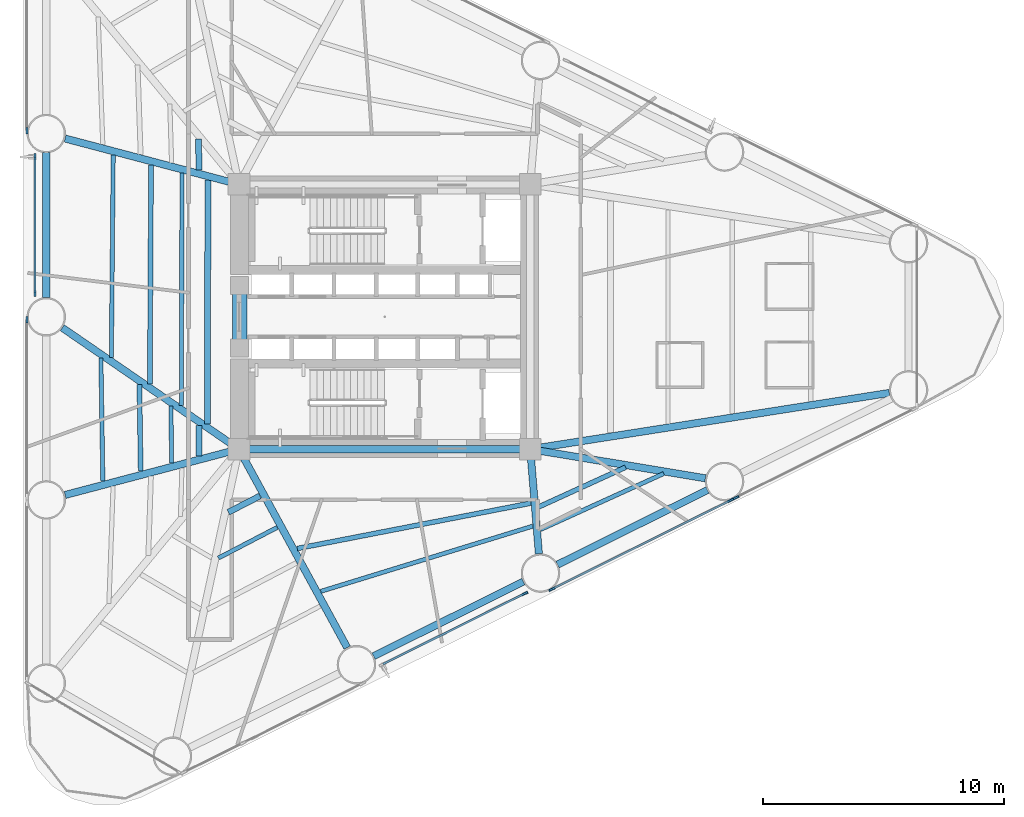
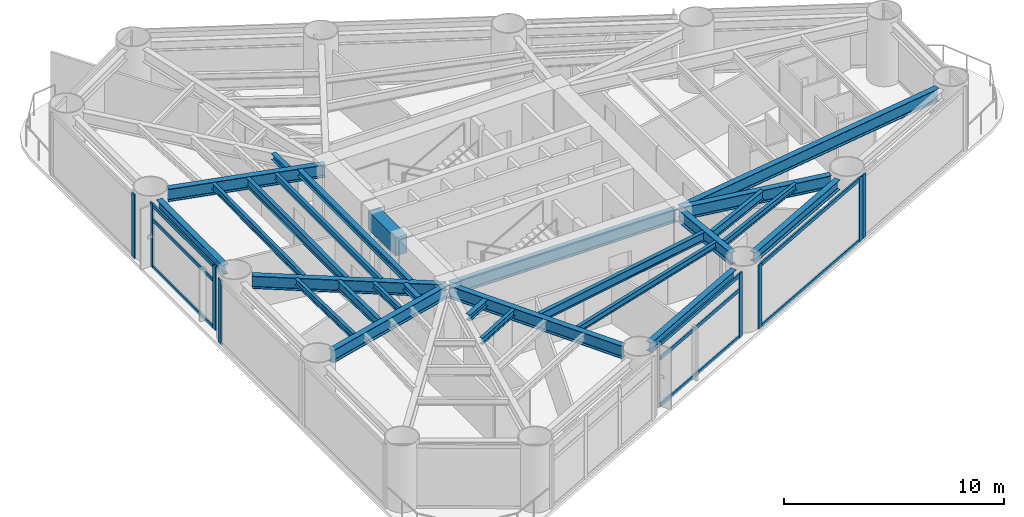
# One storey, part 2 of 10: 27 beams, 16 members, 6 elements without a shape of their own.
"""IFC4 building model written with IfcOpenShell, lengths in metres."""

from ifc_helpers import new_model, si_unit, direction, frame, origin, origin_2d, place, context, subcontext, project, spatial, rectangle, i_section, extrude, source, transform, mapped, material, layer, layer_set, material_profile, profile_set, type_object, element, aggregate, save


model = new_model("IFC4")

# Units and contexts
model_context = context("Model", 3, precision=1e-05, world=origin(), true_north=direction((0.0, 1.0)))
body_context = subcontext(model_context, "Body", "Model", "MODEL_VIEW")
ifc_project = project(units=[si_unit("LENGTHUNIT", "METRE"), si_unit("AREAUNIT", "SQUARE_METRE"), si_unit("VOLUMEUNIT", "CUBIC_METRE"), si_unit("PLANEANGLEUNIT", "RADIAN"), si_unit("MASSUNIT", "GRAM", prefix="KILO")], contexts=[model_context])

# Site, building, storey
site_placement = place(None, origin())
site = spatial("IfcSite", under=ifc_project, at=site_placement, CompositionType="ELEMENT")
building_placement = place(site_placement, origin())
building = spatial("IfcBuilding", under=site, at=building_placement, Name="Yunling Apex Tower", CompositionType="ELEMENT")
storey_placement = place(building_placement, frame((0.0, 0.0, 46.0)))
storey = spatial("IfcBuildingStorey", under=building, at=storey_placement, Name="L13", CompositionType="ELEMENT", Elevation=46.0)

# Beams
ifc_material_1 = material(Name="Concrete C60", Category="concrete")
ifc_material_profile_1 = material_profile(ifc_material_1, rectangle(XDim=0.60009765625, YDim=1.0, at=origin_2d()))
ifc_profile_set_1 = profile_set([ifc_material_profile_1], Name="Concrete C60")
beam_type_1 = type_object("IfcBeamType", Name="BC-CPL-1", PredefinedType="BEAM", material=ifc_profile_set_1)
shared_shape_1 = source(origin(), body_context, "Body", "SweptSolid", [
    extrude(rectangle(XDim=0.60009765625, YDim=1.0, at=origin_2d()), origin(), (0.0, 0.0, 1.0), 2.5),
])
beam_1_placement = place(storey_placement, frame((-6.02490234375, -1.25, 2.97998046875), z_axis=(0.0, 1.0, 0.0), x_axis=(-1.0, 0.0, 0.0)))
element("IfcBeam", 1, at=beam_1_placement, inside=storey, type_object=beam_type_1, Name="L13 Core West Portal Coupling Beam", PredefinedType="BEAM", context=body_context, shape_type="MappedRepresentation", body=[
    mapped(shared_shape_1, transform((0.0, 0.0, 0.0), scale=1.0)),
])
ifc_material_2 = material(Name="Steel Q355B", Category="steel")
ifc_material_profile_2 = material_profile(ifc_material_2, i_section(OverallWidth=0.300048828125, OverallDepth=0.699951171875, WebThickness=0.012939453125, FlangeThickness=0.02392578125, FilletRadius=0.02587890625, at=origin_2d()))
ifc_profile_set_2 = profile_set([ifc_material_profile_2], Name="Steel Q355B")
beam_type_2 = type_object("IfcBeamType", Name="BG-PRI-3", PredefinedType="USERDEFINED", material=ifc_profile_set_2)
shared_shape_2 = source(origin(), body_context, "Body", "SweptSolid", [
    extrude(i_section(OverallWidth=0.300048828125, OverallDepth=0.699951171875, WebThickness=0.012939453125, FlangeThickness=0.02392578125, FilletRadius=0.02587890625, at=origin_2d()), origin(), (0.0, 0.0, 1.0), 11.7998046875),
])
beam_2_placement = place(storey_placement, frame((-5.89990234375, -5.5, 3.1298828125), z_axis=(1.0, 0.0, 0.0), x_axis=(0.0, 1.0, 0.0)))
element("IfcBeam", 2, at=beam_2_placement, inside=storey, type_object=beam_type_2, Name="L13 Core Ring Tie Beam 1", ObjectType="GIRDER", PredefinedType="USERDEFINED", context=body_context, shape_type="MappedRepresentation", body=[
    mapped(shared_shape_2, transform((0.0, 0.0, 0.0), scale=1.0)),
])
ifc_material_profile_3 = material_profile(ifc_material_2, i_section(OverallWidth=0.300048828125, OverallDepth=0.5400390625, WebThickness=0.011962890625, FlangeThickness=0.02001953125, FilletRadius=0.02392578125, at=origin_2d()))
ifc_profile_set_3 = profile_set([ifc_material_profile_3], Name="Steel Q355B")
beam_type_3 = type_object("IfcBeamType", Name="BP-SPN-1", PredefinedType="SPANDREL", material=ifc_profile_set_3)
shared_shape_3 = source(origin(), body_context, "Body", "SweptSolid", [
    extrude(i_section(OverallWidth=0.300048828125, OverallDepth=0.5400390625, WebThickness=0.011962890625, FlangeThickness=0.02001953125, FilletRadius=0.02392578125, at=origin_2d()), origin(), (0.0, 0.0, 1.0), 6.950927734375),
])
beam_3_placement = place(storey_placement, frame((-0.456298828125, -14.099365234375, 3.2099609375), z_axis=(0.895247556401, 0.445569088646, 0.0), x_axis=(-0.445569088646, 0.895247556401, 0.0)))
element("IfcBeam", 3, at=beam_3_placement, inside=storey, type_object=beam_type_3, Name="L13 Perimeter Spandrel Beam 2", PredefinedType="SPANDREL", context=body_context, shape_type="MappedRepresentation", body=[
    mapped(shared_shape_3, transform((0.0, 0.0, 0.0), scale=1.0)),
])
shared_shape_4 = source(origin(), body_context, "Body", "SweptSolid", [
    extrude(i_section(OverallWidth=0.300048828125, OverallDepth=0.5400390625, WebThickness=0.011962890625, FlangeThickness=0.02001953125, FilletRadius=0.02392578125, at=origin_2d()), origin(), (0.0, 0.0, 1.0), 6.95068359375),
])
beam_4_placement = place(storey_placement, frame((7.188232421875, -10.29443359375, 3.2099609375), z_axis=(0.895254593944, 0.445554948375, 0.0), x_axis=(-0.445554948375, 0.895254593944, 0.0)))
element("IfcBeam", 4, at=beam_4_placement, inside=storey, type_object=beam_type_3, Name="L13 Perimeter Spandrel Beam 3", PredefinedType="SPANDREL", context=body_context, shape_type="MappedRepresentation", body=[
    mapped(shared_shape_4, transform((0.0, 0.0, 0.0), scale=1.0)),
])
shared_shape_5 = source(origin(), body_context, "Body", "SweptSolid", [
    extrude(i_section(OverallWidth=0.300048828125, OverallDepth=0.5400390625, WebThickness=0.011962890625, FlangeThickness=0.02001953125, FilletRadius=0.02392578125, at=origin_2d()), origin(), (0.0, 0.0, 1.0), 6.021484375),
])
beam_5_placement = place(storey_placement, frame((-14.052001953125, 6.8154296875, 3.2099609375), z_axis=(0.0, -1.0, 0.0), x_axis=(1.0, 0.0, 0.0)))
element("IfcBeam", 5, at=beam_5_placement, inside=storey, type_object=beam_type_3, Name="L13 Perimeter Spandrel Beam 12", PredefinedType="SPANDREL", context=body_context, shape_type="MappedRepresentation", body=[
    mapped(shared_shape_5, transform((0.0, 0.0, 0.0), scale=1.0)),
])
shared_shape_6 = source(origin(), body_context, "Body", "SweptSolid", [
    extrude(i_section(OverallWidth=0.300048828125, OverallDepth=0.699951171875, WebThickness=0.012939453125, FlangeThickness=0.02392578125, FilletRadius=0.02587890625, at=origin_2d()), origin(), (0.0, 0.0, 1.0), 9.31005859375),
])
beam_6_placement = place(storey_placement, frame((-1.553955078125, -13.74365234375, 3.1298828125), z_axis=(-0.478817221141, 0.877914613581, 0.0), x_axis=(-0.877914613581, -0.478817221141, 0.0)))
element("IfcBeam", 6, at=beam_6_placement, inside=storey, type_object=beam_type_2, Name="L13 Radial Primary Girder R02", ObjectType="GIRDER", PredefinedType="USERDEFINED", context=body_context, shape_type="MappedRepresentation", body=[
    mapped(shared_shape_6, transform((0.0, 0.0, 0.0), scale=1.0)),
])
shared_shape_7 = source(origin(), body_context, "Body", "SweptSolid", [
    extrude(i_section(OverallWidth=0.300048828125, OverallDepth=0.699951171875, WebThickness=0.012939453125, FlangeThickness=0.02392578125, FilletRadius=0.02587890625, at=origin_2d()), origin(), (0.0, 0.0, 1.0), 4.278076171875),
])
beam_7_placement = place(storey_placement, frame((6.41064453125, -9.843017578125, 3.1298828125), z_axis=(-0.082747937789, 0.996570508691, 0.0), x_axis=(-0.996570508691, -0.082747937789, 0.0)))
element("IfcBeam", 7, at=beam_7_placement, inside=storey, type_object=beam_type_2, Name="L13 Radial Primary Girder R03", ObjectType="GIRDER", PredefinedType="USERDEFINED", context=body_context, shape_type="MappedRepresentation", body=[
    mapped(shared_shape_7, transform((0.0, 0.0, 0.0), scale=1.0)),
])
shared_shape_8 = source(origin(), body_context, "Body", "SweptSolid", [
    extrude(i_section(OverallWidth=0.300048828125, OverallDepth=0.699951171875, WebThickness=0.012939453125, FlangeThickness=0.02392578125, FilletRadius=0.02587890625, at=origin_2d()), origin(), (0.0, 0.0, 1.0), 7.294921875),
])
beam_8_placement = place(storey_placement, frame((13.32470703125, -6.7109375, 3.1298828125), z_axis=(-0.98642827455, 0.164192750049, 0.0), x_axis=(-0.164192750049, -0.98642827455, 0.0)))
element("IfcBeam", 8, at=beam_8_placement, inside=storey, type_object=beam_type_2, Name="L13 Radial Primary Girder R04", ObjectType="GIRDER", PredefinedType="USERDEFINED", context=body_context, shape_type="MappedRepresentation", body=[
    mapped(shared_shape_8, transform((0.0, 0.0, 0.0), scale=1.0)),
])
shared_shape_9 = source(origin(), body_context, "Body", "SweptSolid", [
    extrude(i_section(OverallWidth=0.300048828125, OverallDepth=0.699951171875, WebThickness=0.012939453125, FlangeThickness=0.02392578125, FilletRadius=0.02587890625, at=origin_2d()), origin(), (0.0, 0.0, 1.0), 15.02001953125),
])
beam_9_placement = place(storey_placement, frame((20.968017578125, -3.163818359375, 3.1298828125), z_axis=(-0.987959991473, -0.154709583568, 0.0), x_axis=(0.154709583568, -0.987959991473, 0.0)))
element("IfcBeam", 9, at=beam_9_placement, inside=storey, type_object=beam_type_2, Name="L13 Radial Primary Girder R05", ObjectType="GIRDER", PredefinedType="USERDEFINED", context=body_context, shape_type="MappedRepresentation", body=[
    mapped(shared_shape_9, transform((0.0, 0.0, 0.0), scale=1.0)),
])
shared_shape_10 = source(origin(), body_context, "Body", "SweptSolid", [
    extrude(i_section(OverallWidth=0.300048828125, OverallDepth=0.699951171875, WebThickness=0.012939453125, FlangeThickness=0.02392578125, FilletRadius=0.02587890625, at=origin_2d()), origin(), (0.0, 0.0, 1.0), 7.387451171875),
])
for number, where, z_axis, x_axis, name in (
    (10, (-13.270751953125, 7.403564453125, 3.1298828125), (0.966966571797, -0.25490321502, 0.0), (0.25490321502, 0.966966571797, 0.0), "L13 Radial Primary Girder R12"),
    (11, (-13.270751953125, -7.403564453125, 3.1298828125), (0.966966571797, 0.25490321502, 0.0), (-0.25490321502, 0.966966571797, 0.0), "L13 Radial Primary Girder R14"),
):
    element("IfcBeam", number, at=place(storey_placement, frame(where, z_axis=z_axis, x_axis=x_axis)), inside=storey, type_object=beam_type_2, Name=name, ObjectType="GIRDER", PredefinedType="USERDEFINED", context=body_context, shape_type="MappedRepresentation", body=[
        mapped(shared_shape_10, transform((0.0, 0.0, 0.0), scale=1.0)),
    ])
shared_shape_11 = source(origin(), body_context, "Body", "SweptSolid", [
    extrude(i_section(OverallWidth=0.300048828125, OverallDepth=0.699951171875, WebThickness=0.012939453125, FlangeThickness=0.02392578125, FilletRadius=0.02587890625, at=origin_2d()), origin(), (0.0, 0.0, 1.0), 8.821533203125),
])
beam_10_placement = place(storey_placement, frame((-13.385986328125, -0.457763671875, 3.1298828125), z_axis=(0.824111362877, -0.566427807912, 0.0), x_axis=(0.566427807912, 0.824111362877, 0.0)))
element("IfcBeam", 12, at=beam_10_placement, inside=storey, type_object=beam_type_2, Name="L13 Radial Primary Girder R13", ObjectType="GIRDER", PredefinedType="USERDEFINED", context=body_context, shape_type="MappedRepresentation", body=[
    mapped(shared_shape_11, transform((0.0, 0.0, 0.0), scale=1.0)),
])
ifc_material_profile_4 = material_profile(ifc_material_2, i_section(OverallWidth=0.175048828125, OverallDepth=0.35009765625, WebThickness=0.007080078125, FlangeThickness=0.010986328125, FilletRadius=0.013916015625, at=origin_2d()))
ifc_profile_set_4 = profile_set([ifc_material_profile_4], Name="Steel Q355B")
beam_type_4 = type_object("IfcBeamType", Name="BJ-JST-1", PredefinedType="JOIST", material=ifc_profile_set_4)
shared_shape_12 = source(origin(), body_context, "Body", "SweptSolid", [
    extrude(i_section(OverallWidth=0.175048828125, OverallDepth=0.35009765625, WebThickness=0.007080078125, FlangeThickness=0.010986328125, FilletRadius=0.013916015625, at=origin_2d()), origin(), (0.0, 0.0, 1.0), 2.7548828125),
])
beam_11_placement = place(storey_placement, frame((-6.903076171875, -10.0224609375, 3.304931640625), z_axis=(0.886932237595, 0.461899562584, 0.0), x_axis=(-0.461899562584, 0.886932237595, 0.0)))
element("IfcBeam", 13, at=beam_11_placement, inside=storey, type_object=beam_type_4, Name="L13 Composite Floor Joist BJ3-1", PredefinedType="JOIST", context=body_context, shape_type="MappedRepresentation", body=[
    mapped(shared_shape_12, transform((0.0, 0.0, 0.0), scale=1.0)),
])
ifc_material_profile_5 = material_profile(ifc_material_2, i_section(OverallWidth=0.25, OverallDepth=0.340087890625, WebThickness=0.009033203125, FlangeThickness=0.013916015625, FilletRadius=0.01806640625, at=origin_2d()))
ifc_profile_set_5 = profile_set([ifc_material_profile_5], Name="Steel Q355B")
beam_type_5 = type_object("IfcBeamType", Name="BJ-JST-2", PredefinedType="JOIST", material=ifc_profile_set_5)
shared_shape_13 = source(origin(), body_context, "Body", "SweptSolid", [
    extrude(i_section(OverallWidth=0.25, OverallDepth=0.340087890625, WebThickness=0.009033203125, FlangeThickness=0.013916015625, FilletRadius=0.01806640625, at=origin_2d()), origin(), (0.0, 0.0, 1.0), 1.482421875),
])
beam_12_placement = place(storey_placement, frame((-6.490966796875, -8.12060546875, 3.31005859375), z_axis=(0.888960334438, 0.457984196012, 0.0), x_axis=(-0.457984196012, 0.888960334438, 0.0)))
element("IfcBeam", 14, at=beam_12_placement, inside=storey, type_object=beam_type_5, Name="L13 Composite Floor Joist BJ2-1", PredefinedType="JOIST", context=body_context, shape_type="MappedRepresentation", body=[
    mapped(shared_shape_13, transform((0.0, 0.0, 0.0), scale=1.0)),
])
ifc_material_profile_6 = material_profile(ifc_material_2, i_section(OverallWidth=0.199951171875, OverallDepth=0.5, WebThickness=0.010009765625, FlangeThickness=0.01611328125, FilletRadius=0.02001953125, at=origin_2d()))
ifc_profile_set_6 = profile_set([ifc_material_profile_6], Name="Steel Q355B")
beam_type_6 = type_object("IfcBeamType", Name="BS-SEC-2", PredefinedType="BEAM", material=ifc_profile_set_6)
shared_shape_14 = source(origin(), body_context, "Body", "SweptSolid", [
    extrude(i_section(OverallWidth=0.199951171875, OverallDepth=0.5, WebThickness=0.010009765625, FlangeThickness=0.01611328125, FilletRadius=0.02001953125, at=origin_2d()), origin(), (0.0, 0.0, 1.0), 9.883544921875),
])
beam_13_placement = place(storey_placement, frame((-3.625732421875, -9.62646484375, 3.22998046875), z_axis=(0.981653423938, 0.190673950161, 0.0), x_axis=(-0.190673950161, 0.981653423938, 0.0)))
element("IfcBeam", 15, at=beam_13_placement, inside=storey, type_object=beam_type_6, Name="L13 Composite Floor Beam BS-2", PredefinedType="BEAM", context=body_context, shape_type="MappedRepresentation", body=[
    mapped(shared_shape_14, transform((0.0, 0.0, 0.0), scale=1.0)),
])
shared_shape_15 = source(origin(), body_context, "Body", "SweptSolid", [
    extrude(i_section(OverallWidth=0.175048828125, OverallDepth=0.35009765625, WebThickness=0.007080078125, FlangeThickness=0.010986328125, FilletRadius=0.013916015625, at=origin_2d()), origin(), (0.0, 0.0, 1.0), 9.2158203125),
])
beam_14_placement = place(storey_placement, frame((-2.649169921875, -11.407958984375, 3.304931640625), z_axis=(0.955731454849, 0.294240354492, 0.0), x_axis=(-0.294240354492, 0.955731454849, 0.0)))
element("IfcBeam", 16, at=beam_14_placement, inside=storey, type_object=beam_type_4, Name="L13 Composite Floor Joist BJ1-2", PredefinedType="JOIST", context=body_context, shape_type="MappedRepresentation", body=[
    mapped(shared_shape_15, transform((0.0, 0.0, 0.0), scale=1.0)),
])
shared_shape_16 = source(origin(), body_context, "Body", "SweptSolid", [
    extrude(i_section(OverallWidth=0.199951171875, OverallDepth=0.5, WebThickness=0.010009765625, FlangeThickness=0.01611328125, FilletRadius=0.02001953125, at=origin_2d()), origin(), (0.0, 0.0, 1.0), 3.971923828125),
])
beam_15_placement = place(storey_placement, frame((6.400390625, -7.900634765625, 3.22998046875), z_axis=(0.909609234888, 0.415464847858, 0.0), x_axis=(-0.415464847858, 0.909609234888, 0.0)))
element("IfcBeam", 17, at=beam_15_placement, inside=storey, type_object=beam_type_6, Name="L13 Composite Floor Beam BS-3", PredefinedType="BEAM", context=body_context, shape_type="MappedRepresentation", body=[
    mapped(shared_shape_16, transform((0.0, 0.0, 0.0), scale=1.0)),
])
shared_shape_17 = source(origin(), body_context, "Body", "SweptSolid", [
    extrude(i_section(OverallWidth=0.175048828125, OverallDepth=0.35009765625, WebThickness=0.007080078125, FlangeThickness=0.010986328125, FilletRadius=0.013916015625, at=origin_2d()), origin(), (0.0, 0.0, 1.0), 5.62109375),
])
beam_16_placement = place(storey_placement, frame((6.478515625, -8.839111328125, 3.304931640625), z_axis=(0.910411095702, 0.413704770124, 0.0), x_axis=(-0.413704770124, 0.910411095702, 0.0)))
element("IfcBeam", 18, at=beam_16_placement, inside=storey, type_object=beam_type_4, Name="L13 Composite Floor Joist BJ1-3", PredefinedType="JOIST", context=body_context, shape_type="MappedRepresentation", body=[
    mapped(shared_shape_17, transform((0.0, 0.0, 0.0), scale=1.0)),
])
shared_shape_18 = source(origin(), body_context, "Body", "SweptSolid", [
    extrude(i_section(OverallWidth=0.25, OverallDepth=0.340087890625, WebThickness=0.009033203125, FlangeThickness=0.013916015625, FilletRadius=0.01806640625, at=origin_2d()), origin(), (0.0, 0.0, 1.0), 1.294921875),
])
beam_17_placement = place(storey_placement, frame((-7.7333984375, 7.38916015625, 3.31005859375), z_axis=(0.023753431789, -0.999717847434, 0.0), x_axis=(0.999717847434, 0.023753431789, 0.0)))
element("IfcBeam", 19, at=beam_17_placement, inside=storey, type_object=beam_type_5, Name="L13 Composite Floor Joist BJ2-11", PredefinedType="JOIST", context=body_context, shape_type="MappedRepresentation", body=[
    mapped(shared_shape_18, transform((0.0, 0.0, 0.0), scale=1.0)),
])
shared_shape_19 = source(origin(), body_context, "Body", "SweptSolid", [
    extrude(i_section(OverallWidth=0.199951171875, OverallDepth=0.5, WebThickness=0.010009765625, FlangeThickness=0.01611328125, FilletRadius=0.02001953125, at=origin_2d()), origin(), (0.0, 0.0, 1.0), 9.098388671875),
])
beam_18_placement = place(storey_placement, frame((-9.699951171875, 6.302001953125, 3.22998046875), z_axis=(-0.005500909631, -0.999984869882, 0.0), x_axis=(0.999984869882, -0.005500909631, 0.0)))
element("IfcBeam", 20, at=beam_18_placement, inside=storey, type_object=beam_type_6, Name="L13 Composite Floor Beam BS-12", PredefinedType="BEAM", context=body_context, shape_type="MappedRepresentation", body=[
    mapped(shared_shape_19, transform((0.0, 0.0, 0.0), scale=1.0)),
])
shared_shape_20 = source(origin(), body_context, "Body", "SweptSolid", [
    extrude(i_section(OverallWidth=0.175048828125, OverallDepth=0.35009765625, WebThickness=0.007080078125, FlangeThickness=0.010986328125, FilletRadius=0.013916015625, at=origin_2d()), origin(), (0.0, 0.0, 1.0), 8.41357421875),
])
beam_19_placement = place(storey_placement, frame((-11.27197265625, 6.71630859375, 3.304931640625), z_axis=(-0.009169400639, -0.999957960162, 0.0), x_axis=(0.999957960162, -0.009169400639, 0.0)))
element("IfcBeam", 21, at=beam_19_placement, inside=storey, type_object=beam_type_4, Name="L13 Composite Floor Joist BJ1-12", PredefinedType="JOIST", context=body_context, shape_type="MappedRepresentation", body=[
    mapped(shared_shape_20, transform((0.0, 0.0, 0.0), scale=1.0)),
])
shared_shape_21 = source(origin(), body_context, "Body", "SweptSolid", [
    extrude(i_section(OverallWidth=0.175048828125, OverallDepth=0.35009765625, WebThickness=0.007080078125, FlangeThickness=0.010986328125, FilletRadius=0.013916015625, at=origin_2d()), origin(), (0.0, 0.0, 1.0), 9.65869140625),
])
beam_20_placement = place(storey_placement, frame((-8.413818359375, 5.962890625, 3.304931640625), z_axis=(-0.002906817505, -0.999995775197, 0.0), x_axis=(0.999995775197, -0.002906817505, 0.0)))
element("IfcBeam", 22, at=beam_20_placement, inside=storey, type_object=beam_type_4, Name="L13 Composite Floor Joist BJ3-12", PredefinedType="JOIST", context=body_context, shape_type="MappedRepresentation", body=[
    mapped(shared_shape_21, transform((0.0, 0.0, 0.0), scale=1.0)),
])
shared_shape_22 = source(origin(), body_context, "Body", "SweptSolid", [
    extrude(i_section(OverallWidth=0.25, OverallDepth=0.340087890625, WebThickness=0.009033203125, FlangeThickness=0.013916015625, FilletRadius=0.01806640625, at=origin_2d()), origin(), (0.0, 0.0, 1.0), 10.125732421875),
])
beam_21_placement = place(storey_placement, frame((-7.341796875, 5.680419921875, 3.31005859375), z_axis=(-0.000988546835, -0.999999511387, 0.0), x_axis=(0.999999511387, -0.000988546835, 0.0)))
element("IfcBeam", 23, at=beam_21_placement, inside=storey, type_object=beam_type_5, Name="L13 Composite Floor Joist BJ2-12", PredefinedType="JOIST", context=body_context, shape_type="MappedRepresentation", body=[
    mapped(shared_shape_22, transform((0.0, 0.0, 0.0), scale=1.0)),
])
shared_shape_23 = source(origin(), body_context, "Body", "SweptSolid", [
    extrude(i_section(OverallWidth=0.199951171875, OverallDepth=0.5, WebThickness=0.010009765625, FlangeThickness=0.01611328125, FilletRadius=0.02001953125, at=origin_2d()), origin(), (0.0, 0.0, 1.0), 3.59912109375),
])
beam_22_placement = place(storey_placement, frame((-10.184814453125, -2.81640625, 3.22998046875), z_axis=(0.015194989083, -0.999884549489, 0.0), x_axis=(0.999884549489, 0.015194989083, 0.0)))
element("IfcBeam", 24, at=beam_22_placement, inside=storey, type_object=beam_type_6, Name="L13 Composite Floor Beam BS-13", PredefinedType="BEAM", context=body_context, shape_type="MappedRepresentation", body=[
    mapped(shared_shape_23, transform((0.0, 0.0, 0.0), scale=1.0)),
])
shared_shape_24 = source(origin(), body_context, "Body", "SweptSolid", [
    extrude(i_section(OverallWidth=0.175048828125, OverallDepth=0.35009765625, WebThickness=0.007080078125, FlangeThickness=0.010986328125, FilletRadius=0.013916015625, at=origin_2d()), origin(), (0.0, 0.0, 1.0), 5.11279296875),
])
beam_23_placement = place(storey_placement, frame((-11.7841796875, -1.717041015625, 3.304931640625), z_axis=(0.016092285311, -0.999870510793, 0.0), x_axis=(0.999870510793, 0.016092285311, 0.0)))
element("IfcBeam", 25, at=beam_23_placement, inside=storey, type_object=beam_type_4, Name="L13 Composite Floor Joist BJ1-13", PredefinedType="JOIST", context=body_context, shape_type="MappedRepresentation", body=[
    mapped(shared_shape_24, transform((0.0, 0.0, 0.0), scale=1.0)),
])
shared_shape_25 = source(origin(), body_context, "Body", "SweptSolid", [
    extrude(i_section(OverallWidth=0.175048828125, OverallDepth=0.35009765625, WebThickness=0.007080078125, FlangeThickness=0.010986328125, FilletRadius=0.013916015625, at=origin_2d()), origin(), (0.0, 0.0, 1.0), 2.3603515625),
])
beam_24_placement = place(storey_placement, frame((-8.87646484375, -3.7158203125, 3.304931640625), z_axis=(0.013756844339, -0.99990537014, 0.0), x_axis=(0.99990537014, 0.013756844339, 0.0)))
element("IfcBeam", 26, at=beam_24_placement, inside=storey, type_object=beam_type_4, Name="L13 Composite Floor Joist BJ3-13", PredefinedType="JOIST", context=body_context, shape_type="MappedRepresentation", body=[
    mapped(shared_shape_25, transform((0.0, 0.0, 0.0), scale=1.0)),
])
shared_shape_26 = source(origin(), body_context, "Body", "SweptSolid", [
    extrude(i_section(OverallWidth=0.25, OverallDepth=0.340087890625, WebThickness=0.009033203125, FlangeThickness=0.013916015625, FilletRadius=0.01806640625, at=origin_2d()), origin(), (0.0, 0.0, 1.0), 1.25927734375),
])
beam_25_placement = place(storey_placement, frame((-7.713623046875, -4.515380859375, 3.31005859375), z_axis=(0.010274758105, -0.99994721328, 0.0), x_axis=(0.99994721328, 0.010274758105, 0.0)))
element("IfcBeam", 27, at=beam_25_placement, inside=storey, type_object=beam_type_5, Name="L13 Composite Floor Joist BJ2-13", PredefinedType="JOIST", context=body_context, shape_type="MappedRepresentation", body=[
    mapped(shared_shape_26, transform((0.0, 0.0, 0.0), scale=1.0)),
])

# Curtain wall, members
ifc_material_3 = material(Name="Bronze anodised aluminium", Category="aluminium")
ifc_layer = layer(ifc_material_3, 0.260009765625)
ifc_layer_set = layer_set([ifc_layer], Name="Bronze anodised aluminium")
curtain_wall_type = type_object("IfcCurtainWallType", Name="CW-SYS-2", PredefinedType="NOTDEFINED", material=ifc_layer_set)
curtain_wall_1_placement = place(storey_placement, origin())
curtain_wall_1 = element("IfcCurtainWall", 28, at=curtain_wall_1_placement, inside=storey, type_object=curtain_wall_type, Name="CW-L13-F1-B3", PredefinedType="NOTDEFINED")
ifc_material_profile_7 = material_profile(ifc_material_3, rectangle(XDim=0.0849609375, YDim=0.199951171875, at=origin_2d()))
ifc_profile_set_7 = profile_set([ifc_material_profile_7], Name="Bronze anodised aluminium")
member_type_1 = type_object("IfcMemberType", Name="CW-TRN-2", PredefinedType="USERDEFINED", material=ifc_profile_set_7)
shared_shape_27 = source(origin(), body_context, "Body", "SweptSolid", [
    extrude(rectangle(XDim=0.0849609375, YDim=0.199951171875, at=origin_2d()), origin(), (0.0, 0.0, 1.0), 8.217529296875),
])
member_1_placement = place(storey_placement, frame((6.982177734375, -11.3017578125, 0.04248046875), z_axis=(0.895251603772, 0.445560956485, 0.0), x_axis=(-0.445560956485, 0.895251603772, 0.0)))
member_1 = element("IfcMember", 29, at=member_1_placement, type_object=member_type_1, Name="CW-SYS-2 transom 1.1", ObjectType="TRANSOM", PredefinedType="USERDEFINED", context=body_context, shape_type="MappedRepresentation", body=[
    mapped(shared_shape_27, transform((0.0, 0.0, 0.0), scale=1.0)),
])
member_2_placement = place(storey_placement, frame((6.982177734375, -11.3017578125, 3.4375), z_axis=(0.895251603772, 0.445560956485, 0.0), x_axis=(-0.445560956485, 0.895251603772, 0.0)))
member_2 = element("IfcMember", 30, at=member_2_placement, type_object=member_type_1, Name="CW-SYS-2 transom 1.2", ObjectType="TRANSOM", PredefinedType="USERDEFINED", context=body_context, shape_type="MappedRepresentation", body=[
    mapped(shared_shape_27, transform((0.0, 0.0, 0.0), scale=1.0)),
])

curtain_wall_2_placement = place(storey_placement, origin())
curtain_wall_2 = element("IfcCurtainWall", 31, at=curtain_wall_2_placement, inside=storey, type_object=curtain_wall_type, Name="CW-L13-F1-B2", PredefinedType="NOTDEFINED")
shared_shape_28 = source(origin(), body_context, "Body", "SweptSolid", [
    extrude(rectangle(XDim=0.0849609375, YDim=0.199951171875, at=origin_2d()), origin(), (0.0, 0.0, 1.0), 6.53759765625),
])
member_3_placement = place(storey_placement, frame((-0.061767578125, -14.427978515625, 0.04248046875), z_axis=(0.89523980106, 0.445584670515, 0.0), x_axis=(-0.445584670515, 0.89523980106, 0.0)))
member_3 = element("IfcMember", 32, at=member_3_placement, type_object=member_type_1, Name="CW-SYS-2 transom 1.1", ObjectType="TRANSOM", PredefinedType="USERDEFINED", context=body_context, shape_type="MappedRepresentation", body=[
    mapped(shared_shape_28, transform((0.0, 0.0, 0.0), scale=1.0)),
])
member_4_placement = place(storey_placement, frame((-0.061767578125, -14.427978515625, 2.644775390625), z_axis=(0.89523980106, 0.445584670515, 0.0), x_axis=(-0.445584670515, 0.89523980106, 0.0)))
member_4 = element("IfcMember", 33, at=member_4_placement, type_object=member_type_1, Name="CW-SYS-2 transom 1.2", ObjectType="TRANSOM", PredefinedType="USERDEFINED", context=body_context, shape_type="MappedRepresentation", body=[
    mapped(shared_shape_28, transform((0.0, 0.0, 0.0), scale=1.0)),
])
member_5_placement = place(storey_placement, frame((-0.061767578125, -14.427978515625, 3.4375), z_axis=(0.89523980106, 0.445584670515, 0.0), x_axis=(-0.445584670515, 0.89523980106, 0.0)))
member_5 = element("IfcMember", 34, at=member_5_placement, type_object=member_type_1, Name="CW-SYS-2 transom 1.3", ObjectType="TRANSOM", PredefinedType="USERDEFINED", context=body_context, shape_type="MappedRepresentation", body=[
    mapped(shared_shape_28, transform((0.0, 0.0, 0.0), scale=1.0)),
])

curtain_wall_3_placement = place(storey_placement, origin())
curtain_wall_3 = element("IfcCurtainWall", 35, at=curtain_wall_3_placement, inside=storey, type_object=curtain_wall_type, Name="CW-L13-F3-B2", PredefinedType="NOTDEFINED")
shared_shape_29 = source(origin(), body_context, "Body", "SweptSolid", [
    extrude(rectangle(XDim=0.0849609375, YDim=0.199951171875, at=origin_2d()), origin(), (0.0, 0.0, 1.0), 5.60791015625),
])
member_6_placement = place(storey_placement, frame((-14.52197265625, 6.608642578125, 0.04248046875), z_axis=(0.0, -1.0, 0.0), x_axis=(1.0, 0.0, 0.0)))
member_6 = element("IfcMember", 36, at=member_6_placement, type_object=member_type_1, Name="CW-SYS-2 transom 1.1", ObjectType="TRANSOM", PredefinedType="USERDEFINED", context=body_context, shape_type="MappedRepresentation", body=[
    mapped(shared_shape_29, transform((0.0, 0.0, 0.0), scale=1.0)),
])
member_7_placement = place(storey_placement, frame((-14.52197265625, 6.608642578125, 2.644775390625), z_axis=(0.0, -1.0, 0.0), x_axis=(1.0, 0.0, 0.0)))
member_7 = element("IfcMember", 37, at=member_7_placement, type_object=member_type_1, Name="CW-SYS-2 transom 1.2", ObjectType="TRANSOM", PredefinedType="USERDEFINED", context=body_context, shape_type="MappedRepresentation", body=[
    mapped(shared_shape_29, transform((0.0, 0.0, 0.0), scale=1.0)),
])
member_8_placement = place(storey_placement, frame((-14.52197265625, 6.608642578125, 3.4375), z_axis=(0.0, -1.0, 0.0), x_axis=(1.0, 0.0, 0.0)))
member_8 = element("IfcMember", 38, at=member_8_placement, type_object=member_type_1, Name="CW-SYS-2 transom 1.3", ObjectType="TRANSOM", PredefinedType="USERDEFINED", context=body_context, shape_type="MappedRepresentation", body=[
    mapped(shared_shape_29, transform((0.0, 0.0, 0.0), scale=1.0)),
])

# Member
ifc_material_profile_8 = material_profile(ifc_material_3, rectangle(XDim=0.0849609375, YDim=0.260009765625, at=origin_2d()))
ifc_profile_set_8 = profile_set([ifc_material_profile_8], Name="Bronze anodised aluminium")
member_type_2 = type_object("IfcMemberType", Name="CW-MUL-2", PredefinedType="MULLION", material=ifc_profile_set_8)
shared_shape_30 = source(origin(), body_context, "Body", "SweptSolid", [
    extrude(rectangle(XDim=0.0849609375, YDim=0.260009765625, at=origin_2d()), origin(), (0.0, 0.0, 1.0), 3.580078125),
])
member_9_placement = place(storey_placement, frame((5.8251953125, -11.498046875, -0.050048828125), z_axis=(0.0, 0.0, 1.0), x_axis=(-0.445582781121, 0.895240741459, 0.0)))
member_9 = element("IfcMember", 39, at=member_9_placement, type_object=member_type_2, Name="CW-SYS-2 mullion 2", PredefinedType="MULLION", context=body_context, shape_type="MappedRepresentation", body=[
    mapped(shared_shape_30, transform((0.0, 0.0, 0.0), scale=1.0)),
])

aggregate(curtain_wall_2, [member_9, member_3, member_4, member_5])

member_10_placement = place(storey_placement, frame((6.947998046875, -11.31884765625, -0.050048828125), z_axis=(0.0, 0.0, 1.0), x_axis=(-0.445570625003, 0.895246791748, 0.0)))
member_10 = element("IfcMember", 40, at=member_10_placement, type_object=member_type_2, Name="CW-SYS-2 mullion 1", PredefinedType="MULLION", context=body_context, shape_type="MappedRepresentation", body=[
    mapped(shared_shape_30, transform((0.0, 0.0, 0.0), scale=1.0)),
])

member_11_placement = place(storey_placement, frame((14.373046875, -7.623291015625, -0.050048828125), z_axis=(0.0, 0.0, 1.0), x_axis=(-0.445570625003, 0.895246791748, 0.0)))
member_11 = element("IfcMember", 41, at=member_11_placement, type_object=member_type_2, Name="CW-SYS-2 mullion 2", PredefinedType="MULLION", context=body_context, shape_type="MappedRepresentation", body=[
    mapped(shared_shape_30, transform((0.0, 0.0, 0.0), scale=1.0)),
])

aggregate(curtain_wall_1, [member_10, member_11, member_1, member_2])

# Curtain wall, member
curtain_wall_4_placement = place(storey_placement, origin())
curtain_wall_4 = element("IfcCurtainWall", 42, at=curtain_wall_4_placement, inside=storey, type_object=curtain_wall_type, Name="CW-L13-F1-B4", PredefinedType="NOTDEFINED")
member_12_placement = place(storey_placement, frame((14.59228515625, -7.51416015625, -0.050048828125), z_axis=(0.0, 0.0, 1.0), x_axis=(-0.445580190214, 0.895242031011, 0.0)))
member_12 = element("IfcMember", 43, at=member_12_placement, type_object=member_type_2, Name="CW-SYS-2 mullion 1", PredefinedType="MULLION", context=body_context, shape_type="MappedRepresentation", body=[
    mapped(shared_shape_30, transform((0.0, 0.0, 0.0), scale=1.0)),
])
aggregate(curtain_wall_4, [member_12])

curtain_wall_5_placement = place(storey_placement, origin())
curtain_wall_5 = element("IfcCurtainWall", 44, at=curtain_wall_5_placement, inside=storey, type_object=curtain_wall_type, Name="CW-L13-F3-B1", PredefinedType="NOTDEFINED")
member_13_placement = place(storey_placement, frame((-14.862060546875, 7.73193359375, -0.050048828125), z_axis=(0.0, 0.0, 1.0), x_axis=(1.0, 0.0, 0.0)))
member_13 = element("IfcMember", 45, at=member_13_placement, type_object=member_type_2, Name="CW-SYS-2 mullion 2", PredefinedType="MULLION", context=body_context, shape_type="MappedRepresentation", body=[
    mapped(shared_shape_30, transform((0.0, 0.0, 0.0), scale=1.0)),
])
aggregate(curtain_wall_5, [member_13])

# Member
member_14_placement = place(storey_placement, frame((-14.52197265625, 6.64697265625, -0.050048828125), z_axis=(0.0, 0.0, 1.0), x_axis=(1.0, 0.0, 0.0)))
member_14 = element("IfcMember", 46, at=member_14_placement, type_object=member_type_2, Name="CW-SYS-2 mullion 1", PredefinedType="MULLION", context=body_context, shape_type="MappedRepresentation", body=[
    mapped(shared_shape_30, transform((0.0, 0.0, 0.0), scale=1.0)),
])

member_15_placement = place(storey_placement, frame((-14.52197265625, 0.96240234375, -0.050048828125), z_axis=(0.0, 0.0, 1.0), x_axis=(1.0, 0.0, 0.0)))
member_15 = element("IfcMember", 47, at=member_15_placement, type_object=member_type_2, Name="CW-SYS-2 mullion 2", PredefinedType="MULLION", context=body_context, shape_type="MappedRepresentation", body=[
    mapped(shared_shape_30, transform((0.0, 0.0, 0.0), scale=1.0)),
])

aggregate(curtain_wall_3, [member_14, member_15, member_6, member_7, member_8])

# Curtain wall, member
curtain_wall_6_placement = place(storey_placement, origin())
curtain_wall_6 = element("IfcCurtainWall", 48, at=curtain_wall_6_placement, inside=storey, type_object=curtain_wall_type, Name="CW-L13-F3-B3", PredefinedType="NOTDEFINED")
member_16_placement = place(storey_placement, frame((-14.862060546875, -0.12255859375, -0.050048828125), z_axis=(0.0, 0.0, 1.0), x_axis=(1.0, 0.0, 0.0)))
member_16 = element("IfcMember", 49, at=member_16_placement, type_object=member_type_2, Name="CW-SYS-2 mullion 1", PredefinedType="MULLION", context=body_context, shape_type="MappedRepresentation", body=[
    mapped(shared_shape_30, transform((0.0, 0.0, 0.0), scale=1.0)),
])
aggregate(curtain_wall_6, [member_16])

save(model, "model.ifc")
